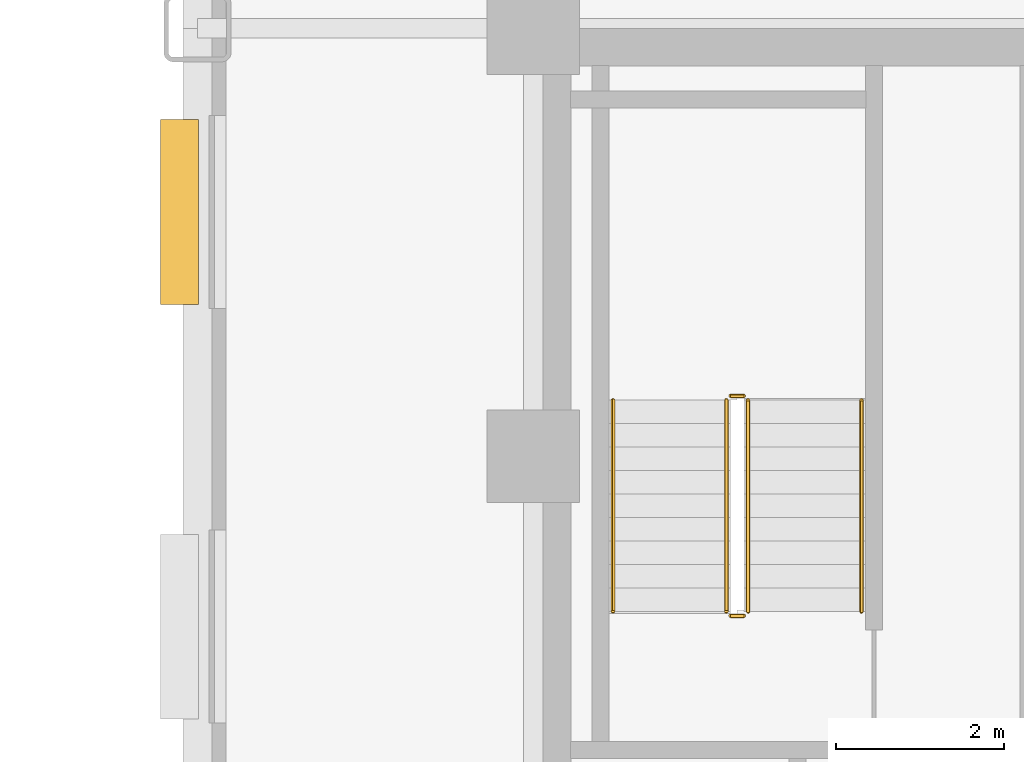
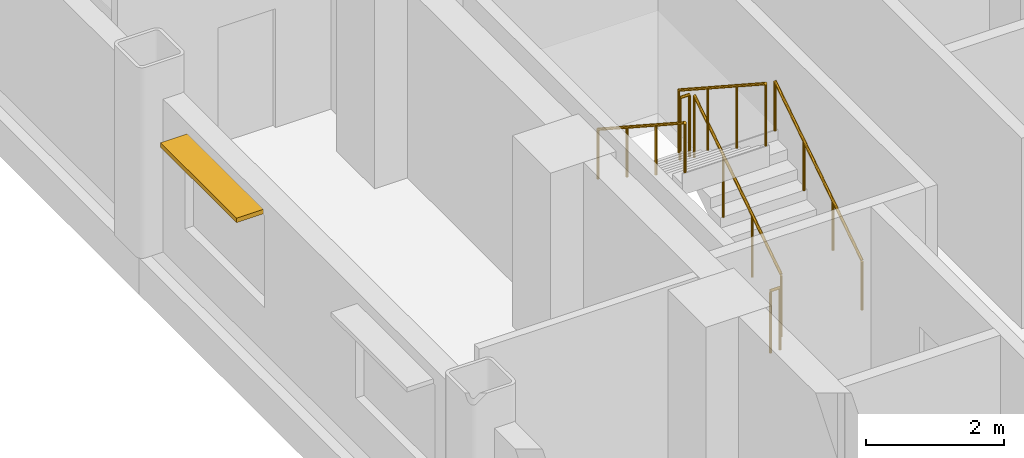
# One storey, part 11 of 13: 6 railings, 1 shading device.
"""IFC4 building model written with IfcOpenShell, lengths in metres."""

from ifc_helpers import new_model, si_unit, direction, frame, origin, origin_2d, place, context, subcontext, project, spatial, rectangle, circle, extrude, source, transform, mapped, material, type_object, type_shapes, element, save


model = new_model("IFC4")

# Units and contexts
model_context = context("Model", 3, precision=1e-05, world=origin(), true_north=direction((0.0, 1.0)))
body_context = subcontext(model_context, "Body", "Model", "MODEL_VIEW")
ifc_project = project(units=[si_unit("LENGTHUNIT", "METRE"), si_unit("AREAUNIT", "SQUARE_METRE"), si_unit("VOLUMEUNIT", "CUBIC_METRE"), si_unit("PLANEANGLEUNIT", "RADIAN"), si_unit("MASSUNIT", "GRAM", prefix="KILO")], contexts=[model_context])

# Site, building, storey
site_placement = place(None, origin())
site = spatial("IfcSite", under=ifc_project, at=site_placement, CompositionType="ELEMENT")
building_placement = place(site_placement, origin())
building = spatial("IfcBuilding", under=site, at=building_placement, Name="Nuvemarco Arch Tower", CompositionType="ELEMENT")
storey_placement = place(building_placement, frame((0.0, 0.0, 78.699951171875)))
storey = spatial("IfcBuildingStorey", under=building, at=storey_placement, Name="L20", CompositionType="ELEMENT", Elevation=78.699951171875)

# Railings
ifc_material_1 = material(Name="Brushed stainless steel handrail", Category="steel")
railing_type_1 = type_object("IfcRailingType", Name="RL-HANDRAIL-900", PredefinedType="HANDRAIL", material=ifc_material_1)
railing_1_placement = place(storey_placement, frame((-13.590087890625, 2.64990234375, 0.1826171875)))
element("IfcRailing", 1, at=railing_1_placement, inside=storey, type_object=railing_type_1, Name="L20 ST-1 stair handrail 1", PredefinedType="HANDRAIL", context=body_context, shape_type="SweptSolid", body=[
    extrude(circle(Radius=0.02392578125, at=origin_2d()), frame((0.0, 0.0, 0.8759765625), z_axis=(0.0, 0.837786554691, 0.545997883492), x_axis=(-1.0, 0.0, 0.0)), (0.0, 0.0, 1.0), 3.008056640625),
    extrude(circle(Radius=0.02099609375, at=origin_2d()), origin(), (0.0, 0.0, 1.0), 0.851806640625),
    extrude(circle(Radius=0.02099609375, at=origin_2d()), frame((0.0, 0.840087890625, 0.54736328125)), (0.0, 0.0, 1.0), 0.851806640625),
    extrude(circle(Radius=0.02099609375, at=origin_2d()), frame((0.0, 1.679931640625, 1.094970703125)), (0.0, 0.0, 1.0), 0.851806640625),
    extrude(circle(Radius=0.02099609375, at=origin_2d()), frame((0.0, 2.52001953125, 1.642333984375)), (0.0, 0.0, 1.0), 0.851806640625),
])
railing_2_placement = place(storey_placement, frame((-16.550048828125, 5.169921875, 2.007568359375)))
element("IfcRailing", 2, at=railing_2_placement, inside=storey, type_object=railing_type_1, Name="L20 ST-1 stair handrail 2", PredefinedType="HANDRAIL", context=body_context, shape_type="SweptSolid", body=[
    extrude(circle(Radius=0.02392578125, at=origin_2d()), frame((0.0, 0.0, 0.8759765625), z_axis=(0.0, -0.837749427056, 0.546054848405), x_axis=(1.0, 0.0, 0.0)), (0.0, 0.0, 1.0), 3.008056640625),
    extrude(circle(Radius=0.02099609375, at=origin_2d()), origin(), (0.0, 0.0, 1.0), 0.851806640625),
    extrude(circle(Radius=0.02099609375, at=origin_2d()), frame((0.0, -0.840087890625, 0.547607421875)), (0.0, 0.0, 1.0), 0.851806640625),
    extrude(circle(Radius=0.02099609375, at=origin_2d()), frame((0.0, -1.679931640625, 1.094970703125)), (0.0, 0.0, 1.0), 0.851806640625),
    extrude(circle(Radius=0.02099609375, at=origin_2d()), frame((0.0, -2.52001953125, 1.642578125)), (0.0, 0.0, 1.0), 0.851806640625),
])
ifc_material_2 = material(Name="Painted balustrade steel S355", Category="steel")
railing_type_2 = type_object("IfcRailingType", Name="RL-STAIR-GUARD", PredefinedType="GUARDRAIL", material=ifc_material_2)
railing_3_placement = place(storey_placement, frame((-14.93994140625, 2.64990234375, 0.1826171875)))
element("IfcRailing", 3, at=railing_3_placement, inside=storey, type_object=railing_type_2, Name="L20 ST-1 stair guard 1", PredefinedType="GUARDRAIL", context=body_context, shape_type="SweptSolid", body=[
    extrude(circle(Radius=0.02392578125, at=origin_2d()), frame((0.0, 0.0, 1.09619140625), z_axis=(0.0, 0.837786554691, 0.545997883492), x_axis=(-1.0, 0.0, 0.0)), (0.0, 0.0, 1.0), 3.008056640625),
    extrude(circle(Radius=0.02099609375, at=origin_2d()), origin(), (0.0, 0.0, 1.0), 1.072021484375),
    extrude(circle(Radius=0.02099609375, at=origin_2d()), frame((0.0, 0.840087890625, 0.54736328125)), (0.0, 0.0, 1.0), 1.072021484375),
    extrude(circle(Radius=0.02099609375, at=origin_2d()), frame((0.0, 1.679931640625, 1.094970703125)), (0.0, 0.0, 1.0), 1.072021484375),
    extrude(circle(Radius=0.02099609375, at=origin_2d()), frame((0.0, 2.52001953125, 1.642333984375)), (0.0, 0.0, 1.0), 1.072021484375),
])
railing_4_placement = place(storey_placement, frame((-14.989990234375, 5.219970703125, 1.824951171875)))
element("IfcRailing", 4, at=railing_4_placement, inside=storey, type_object=railing_type_2, Name="L20 ST-1 stair guard 2", PredefinedType="GUARDRAIL", context=body_context, shape_type="SweptSolid", body=[
    extrude(circle(Radius=0.02392578125, at=origin_2d()), frame((0.0, 0.0, 1.09619140625), z_axis=(-1.0, 0.0, 0.0), x_axis=(0.0, -1.0, 0.0)), (0.0, 0.0, 1.0), 0.159912109375),
    extrude(circle(Radius=0.02099609375, at=origin_2d()), origin(), (0.0, 0.0, 1.0), 1.072021484375),
    extrude(circle(Radius=0.02099609375, at=origin_2d()), frame((-0.159912109375, 0.0, 0.0)), (0.0, 0.0, 1.0), 1.072021484375),
])
railing_5_placement = place(storey_placement, frame((-15.199951171875, 5.169921875, 2.007568359375)))
element("IfcRailing", 5, at=railing_5_placement, inside=storey, type_object=railing_type_2, Name="L20 ST-1 stair guard 3", PredefinedType="GUARDRAIL", context=body_context, shape_type="SweptSolid", body=[
    extrude(circle(Radius=0.02392578125, at=origin_2d()), frame((0.0, 0.0, 1.09619140625), z_axis=(0.0, -0.837749427056, 0.546054848405), x_axis=(1.0, 0.0, 0.0)), (0.0, 0.0, 1.0), 3.008056640625),
    extrude(circle(Radius=0.02099609375, at=origin_2d()), origin(), (0.0, 0.0, 1.0), 1.072021484375),
    extrude(circle(Radius=0.02099609375, at=origin_2d()), frame((0.0, -0.840087890625, 0.547607421875)), (0.0, 0.0, 1.0), 1.072021484375),
    extrude(circle(Radius=0.02099609375, at=origin_2d()), frame((0.0, -1.679931640625, 1.094970703125)), (0.0, 0.0, 1.0), 1.072021484375),
    extrude(circle(Radius=0.02099609375, at=origin_2d()), frame((0.0, -2.52001953125, 1.642578125)), (0.0, 0.0, 1.0), 1.072021484375),
])
railing_6_placement = place(storey_placement, frame((-14.989990234375, 2.60009765625, 0.0)))
element("IfcRailing", 6, at=railing_6_placement, inside=storey, type_object=railing_type_2, Name="L20 ST-1 stair guard 4", PredefinedType="GUARDRAIL", context=body_context, shape_type="SweptSolid", body=[
    extrude(circle(Radius=0.02392578125, at=origin_2d()), frame((0.0, 0.0, 1.09619140625), z_axis=(-1.0, 0.0, 0.0), x_axis=(0.0, -1.0, 0.0)), (0.0, 0.0, 1.0), 0.159912109375),
    extrude(circle(Radius=0.02099609375, at=origin_2d()), origin(), (0.0, 0.0, 1.0), 1.072021484375),
    extrude(circle(Radius=0.02099609375, at=origin_2d()), frame((-0.159912109375, 0.0, 0.0)), (0.0, 0.0, 1.0), 1.072021484375),
])

# Shading device
ifc_material_3 = material(Name="Anodised aluminium 6063-T6", Category="aluminium")
shading_device_type = type_object("IfcShadingDeviceType", Name="SHD-BRISE-SOLEIL", PredefinedType="USERDEFINED", material=ifc_material_3)
shared_shape = source(origin(), body_context, "Body", "SweptSolid", [
    extrude(rectangle(XDim=2.199951171875, YDim=0.449951171875, at=origin_2d()), origin(), (0.0, 0.0, 1.0), 0.080078125),
])
type_shapes(shading_device_type, [shared_shape])
shading_device_placement = place(storey_placement, frame((-21.715087890625, 7.41162109375, 2.425048828125), z_axis=(0.0, 0.0, 1.0), x_axis=(0.0, 1.0, 0.0)))
element("IfcShadingDevice", 7, at=shading_device_placement, inside=storey, type_object=shading_device_type, Name="L20 horizontal brise-soleil sunshade", ObjectType="SUNSHADE", PredefinedType="USERDEFINED", context=body_context, shape_type="MappedRepresentation", body=[
    mapped(shared_shape, transform((0.0, 0.0, 0.0), scale=1.0)),
])

save(model, "model.ifc")
